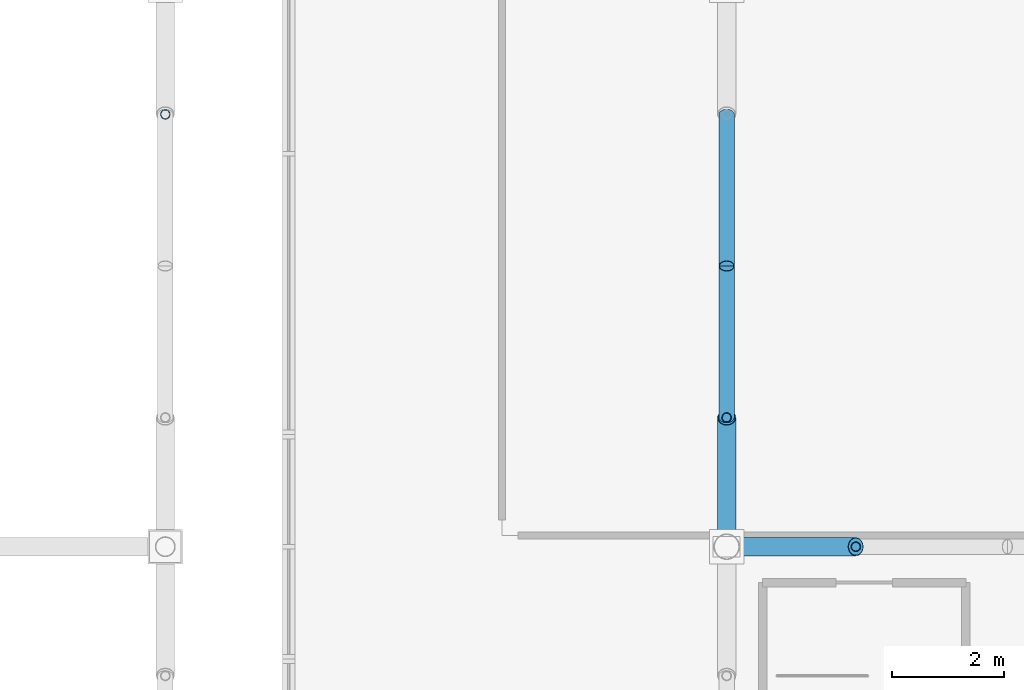
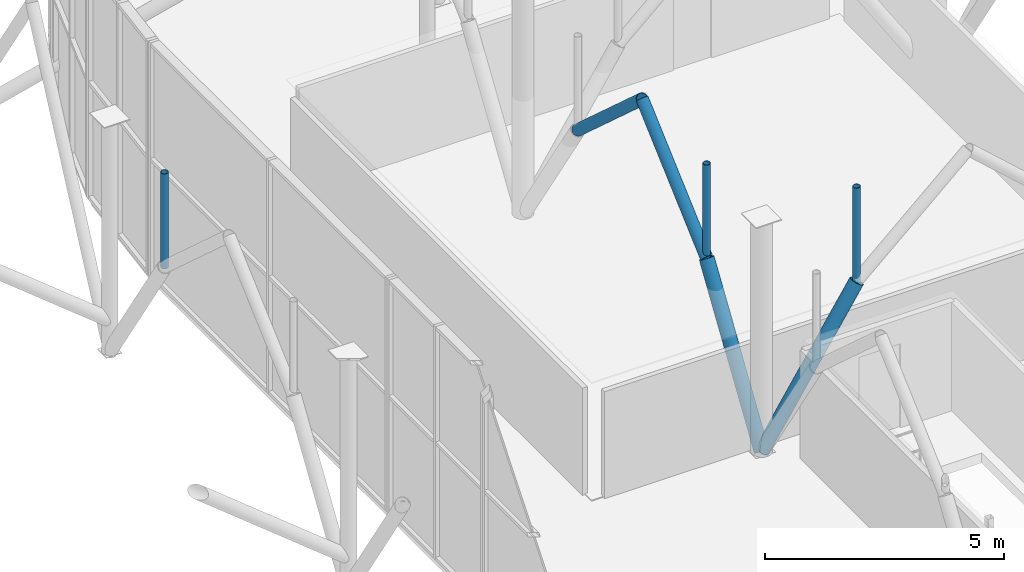
# One storey, part 44 of 109: 7 members.
"""IFC4 building model written with IfcOpenShell, lengths in metres."""

from ifc_helpers import new_model, si_unit, derived_unit, direction, frame, origin, origin_2d_with_axis, place, context, subcontext, project, spatial, hollow_circle, extrude, material, material_profile, profile_set, type_object, element, save


model = new_model("IFC4")

# Units and contexts
model_context = context("Model", 3, precision=1e-05, world=origin(), true_north=direction((0.0, 1.0)))
body_context = subcontext(model_context, "Body", "Model", "MODEL_VIEW")
ifc_project = project(units=[si_unit("LENGTHUNIT", "METRE"), si_unit("AREAUNIT", "SQUARE_METRE"), si_unit("VOLUMEUNIT", "CUBIC_METRE"), si_unit("PLANEANGLEUNIT", "RADIAN"), si_unit("MASSUNIT", "GRAM", prefix="KILO"), derived_unit("THERMALTRANSMITTANCEUNIT", [(si_unit("POWERUNIT", "WATT"), 1), (si_unit("LENGTHUNIT", "METRE"), -2), (si_unit("THERMODYNAMICTEMPERATUREUNIT", "KELVIN"), -1)])], contexts=[model_context])

# Site, building, storey
site_placement = place(None, origin())
site = spatial("IfcSite", under=ifc_project, at=site_placement, CompositionType="ELEMENT")
building_placement = place(site_placement, origin())
building = spatial("IfcBuilding", under=site, at=building_placement, Name="Cinnabar Yard Market Hall", CompositionType="ELEMENT")
storey_placement = place(building_placement, frame((0.0, 0.0, 8.39990234375)))
storey = spatial("IfcBuildingStorey", under=building, at=storey_placement, Name="L02", CompositionType="ELEMENT", Elevation=8.39990234375)

# Members
ifc_material_1 = material(Name="Spotted-gum glulam-clad steel Grade 350 (350 MPa)", Category="steel")
ifc_material_profile_1 = material_profile(ifc_material_1, hollow_circle(Radius=0.136474609375, WallThickness=0.00927734375, at=origin_2d_with_axis()), Name="273.1x9.3CHS")
ifc_profile_set_1 = profile_set([ifc_material_profile_1], Name="Spotted-gum glulam-clad steel Grade 350 (350 MPa)")
member_type_1 = type_object("IfcMemberType", Name="MB-AR01", PredefinedType="USERDEFINED", material=ifc_profile_set_1)
for number, where, z_axis, x_axis, name in (
    (1, (76.0, 46.300048828125, 3.550048828125), (0.0, 0.743297488271, 0.668961018244), (-1.0, 0.0, 0.0), "Pointed Arch Rib 0007"),
    (2, (76.0, 51.699951171875, 3.550048828125), (0.0, -0.743297488271, 0.668961018244), (1.0, 0.0, 0.0), "Pointed Arch Rib 0011"),
):
    element("IfcMember", number, at=place(storey_placement, frame(where, z_axis=z_axis, x_axis=x_axis)), inside=storey, type_object=member_type_1, Name=name, ObjectType="ARCH RIB", PredefinedType="USERDEFINED", context=body_context, shape_type="SweptSolid", body=[
        extrude(hollow_circle(Radius=0.136474609375, WallThickness=0.00927734375, at=origin_2d_with_axis()), origin(), (0.0, 0.0, 1.0), 3.63232421875),
    ])
ifc_material_profile_2 = material_profile(ifc_material_1, hollow_circle(Radius=0.161865234375, WallThickness=0.009521484375, at=origin_2d_with_axis()), Name="323.9x9.5CHS")
ifc_profile_set_2 = profile_set([ifc_material_profile_2], Name="Spotted-gum glulam-clad steel Grade 350 (350 MPa)")
member_type_2 = type_object("IfcMemberType", Name="MB-ST01", PredefinedType="STRUT", material=ifc_profile_set_2)
for number, where, z_axis, x_axis, name in (
    (3, (76.0, 44.0, 0.0), (0.543744165176, 0.0, 0.839251024925), (0.0, 1.0, 0.0), "Curved Branch Arm Lower 0006"),
    (4, (76.0, 44.0, 0.0), (0.0, 0.543744165176, 0.839251024925), (-1.0, 0.0, 0.0), "Curved Branch Arm Lower 0007"),
):
    element("IfcMember", number, at=place(storey_placement, frame(where, z_axis=z_axis, x_axis=x_axis)), inside=storey, type_object=member_type_2, Name=name, PredefinedType="STRUT", context=body_context, shape_type="SweptSolid", body=[
        extrude(hollow_circle(Radius=0.161865234375, WallThickness=0.009521484375, at=origin_2d_with_axis()), origin(), (0.0, 0.0, 1.0), 4.22998046875),
    ])
ifc_material_2 = material(Name="Cold-formed steel C350L0", Category="steel")
ifc_material_profile_3 = material_profile(ifc_material_2, hollow_circle(Radius=0.084228515625, WallThickness=0.00634765625, at=origin_2d_with_axis()), Name="168.3x6.4CHS")
ifc_profile_set_3 = profile_set([ifc_material_profile_3], Name="Cold-formed steel C350L0")
member_type_3 = type_object("IfcMemberType", Name="MB-WB01", PredefinedType="STRUT", material=ifc_profile_set_3)
for number, where, z_axis, x_axis, name in (
    (5, (78.300048828125, 44.0, 3.550048828125), (0.0, 0.0, 1.0), (1.0, 0.0, 0.0), "Arch Spandrel Post 0006"),
    (6, (76.0, 46.300048828125, 3.550048828125), (0.0, 0.0, 1.0), (1.0, 0.0, 0.0), "Arch Spandrel Post 0007"),
):
    element("IfcMember", number, at=place(storey_placement, frame(where, z_axis=z_axis, x_axis=x_axis)), inside=storey, type_object=member_type_3, Name=name, PredefinedType="STRUT", context=body_context, shape_type="SweptSolid", body=[
        extrude(hollow_circle(Radius=0.084228515625, WallThickness=0.00634765625, at=origin_2d_with_axis()), origin(), (0.0, 0.0, 1.0), 2.429931640625),
    ])
ifc_material_profile_4 = material_profile(ifc_material_2, hollow_circle(Radius=0.084228515625, WallThickness=0.00634765625, at=origin_2d_with_axis()), Name="168.3x6.4CHS")
ifc_profile_set_4 = profile_set([ifc_material_profile_4], Name="Cold-formed steel C350L0")
member_type_4 = type_object("IfcMemberType", Name="MB-WB01E", PredefinedType="STRUT", material=ifc_profile_set_4)
member_placement = place(storey_placement, frame((66.0, 51.699951171875, 3.550048828125), z_axis=(0.0, 0.0, 1.0), x_axis=(1.0, 0.0, 0.0)))
element("IfcMember", 7, at=member_placement, inside=storey, type_object=member_type_4, Name="Arch Spandrel Post 0175", PredefinedType="STRUT", context=body_context, shape_type="SweptSolid", body=[
    extrude(hollow_circle(Radius=0.084228515625, WallThickness=0.00634765625, at=origin_2d_with_axis()), origin(), (0.0, 0.0, 1.0), 2.429931640625),
])

save(model, "model.ifc")
